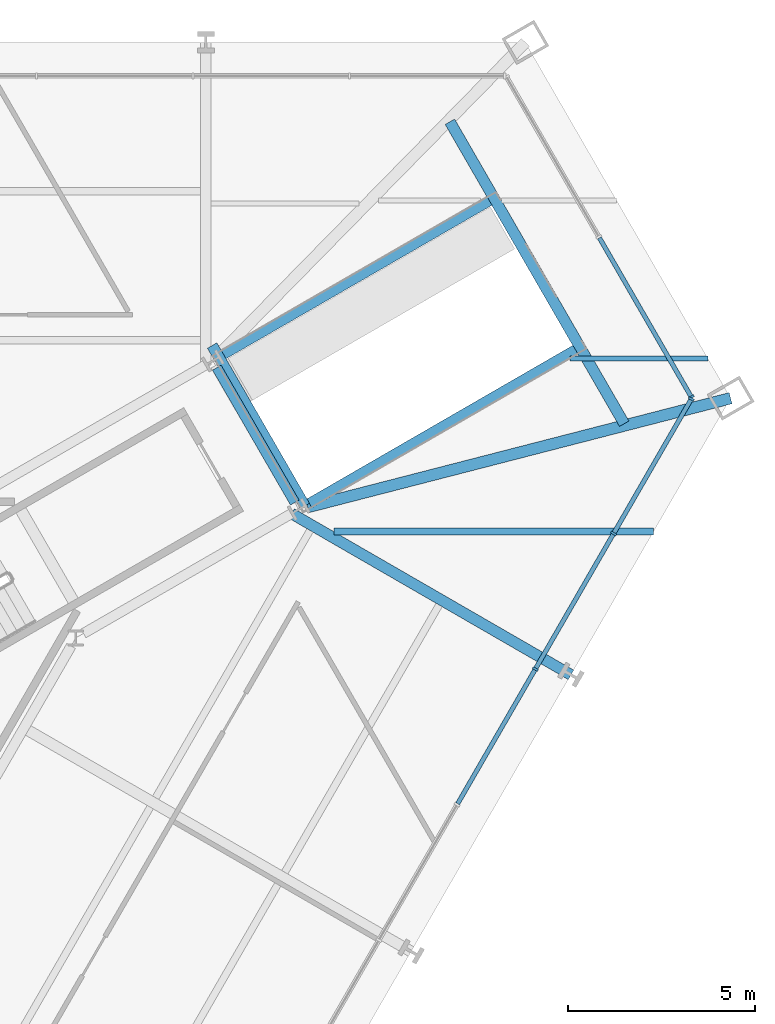
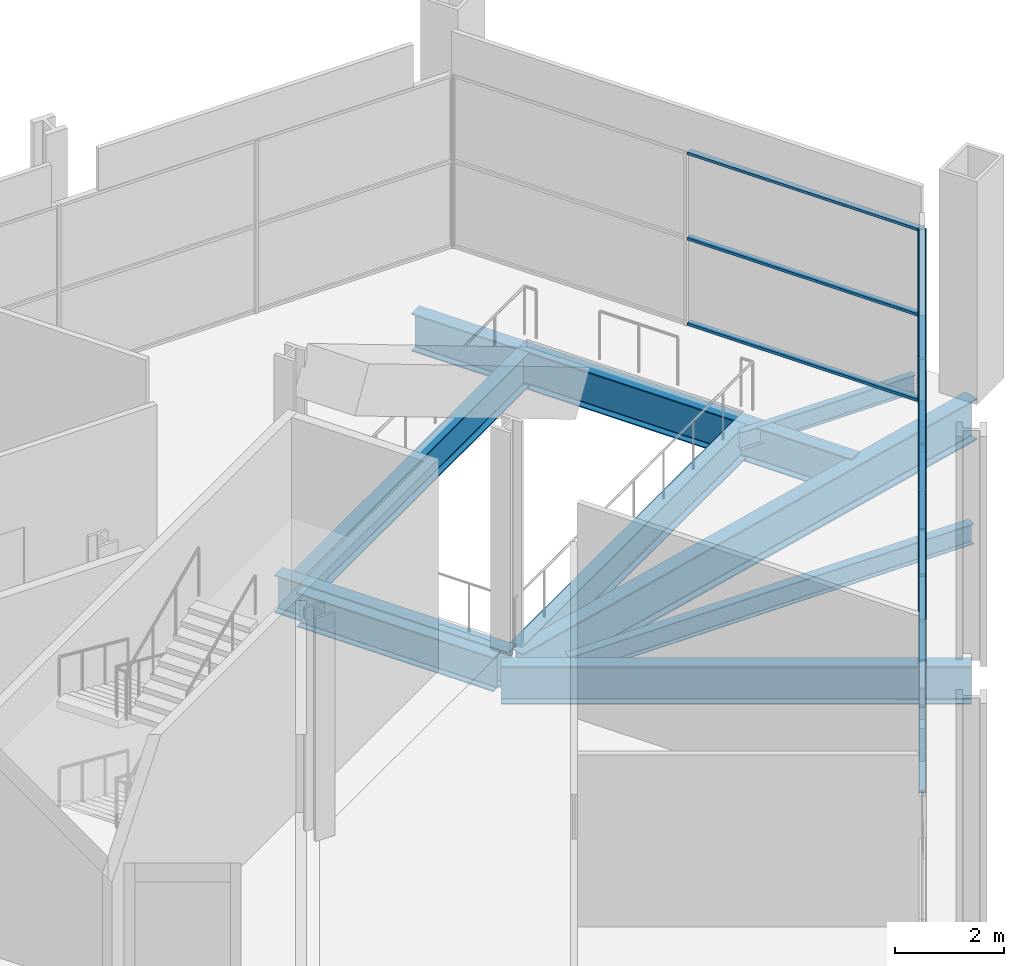
# One storey, part 9 of 20: 16 members, 9 beams, 2 elements without a shape of their own.
"""IFC4 building model written with IfcOpenShell, lengths in metres."""

from ifc_helpers import new_model, si_unit, direction, frame, origin, origin_2d, place, context, subcontext, project, spatial, rectangle, i_section, extrude, material, layer, layer_set, material_profile, profile_set, type_object, element, aggregate, save


model = new_model("IFC4")

# Units and contexts
model_context = context("Model", 3, precision=1e-05, world=origin(), true_north=direction((0.0, 1.0)))
body_context = subcontext(model_context, "Body", "Model", "MODEL_VIEW")
ifc_project = project(units=[si_unit("LENGTHUNIT", "METRE"), si_unit("AREAUNIT", "SQUARE_METRE"), si_unit("VOLUMEUNIT", "CUBIC_METRE"), si_unit("PLANEANGLEUNIT", "RADIAN"), si_unit("MASSUNIT", "GRAM", prefix="KILO")], contexts=[model_context])

# Site, building, storey
site_placement = place(None, origin())
site = spatial("IfcSite", under=ifc_project, at=site_placement, CompositionType="ELEMENT")
building_placement = place(site_placement, origin())
building = spatial("IfcBuilding", under=site, at=building_placement, Name="Verrane Prism Tower", CompositionType="ELEMENT")
storey_placement = place(building_placement, frame((0.0, 0.0, 17.39990234375)))
storey = spatial("IfcBuildingStorey", under=building, at=storey_placement, Name="L02", CompositionType="ELEMENT", Elevation=17.39990234375)

# Curtain wall, member
ifc_material_1 = material(Name="Aluminium and glass curtain wall", Category="aluminium")
ifc_layer = layer(ifc_material_1, 0.199951171875)
ifc_layer_set = layer_set([ifc_layer], Name="CWB-1 retail curtain wall")
curtain_wall_type = type_object("IfcCurtainWallType", Name="CWB-1 retail curtain wall", PredefinedType="NOTDEFINED", material=ifc_layer_set)
curtain_wall_1_placement = place(storey_placement, origin())
curtain_wall_1 = element("IfcCurtainWall", 1, at=curtain_wall_1_placement, inside=storey, type_object=curtain_wall_type, Name="Retail curtain wall L02 1", PredefinedType="NOTDEFINED")
ifc_material_2 = material(Name="Aluminium", Category="aluminium")
ifc_material_profile_1 = material_profile(ifc_material_2, rectangle(XDim=0.159912109375, YDim=0.06005859375, at=origin_2d()), Name="CWB-M 60x160 mullion")
ifc_profile_set_1 = profile_set([ifc_material_profile_1], Name="Aluminium")
member_type_1 = type_object("IfcMemberType", Name="CWB-M 60x160 mullion", PredefinedType="MULLION", material=ifc_profile_set_1)
member_1_placement = place(storey_placement, frame((30.11328125, 11.669677734375, 0.0), z_axis=(0.0, 0.0, 1.0), x_axis=(-0.866025871, -0.499999190758, 0.0)))
member_1 = element("IfcMember", 2, at=member_1_placement, type_object=member_type_1, Name="CWB21 mullion 1", PredefinedType="MULLION", context=body_context, shape_type="SweptSolid", body=[
    extrude(rectangle(XDim=0.159912109375, YDim=0.06005859375, at=origin_2d()), origin(), (0.0, 0.0, 1.0), 3.89013671875),
])

# Curtain wall, members
curtain_wall_2_placement = place(storey_placement, origin())
curtain_wall_2 = element("IfcCurtainWall", 3, at=curtain_wall_2_placement, inside=storey, type_object=curtain_wall_type, Name="Retail curtain wall L02 6", PredefinedType="NOTDEFINED")
member_2_placement = place(storey_placement, frame((25.93701171875, 4.384033203125, 0.0), z_axis=(0.0, 0.0, 1.0), x_axis=(-0.866025335097, 0.50000011897, 0.0)))
member_2 = element("IfcMember", 4, at=member_2_placement, type_object=member_type_1, Name="CWB26 mullion 11", PredefinedType="MULLION", context=body_context, shape_type="SweptSolid", body=[
    extrude(rectangle(XDim=0.159912109375, YDim=0.06005859375, at=origin_2d()), origin(), (0.0, 0.0, 1.0), 3.89013671875),
])
member_3_placement = place(storey_placement, frame((28.03271484375, 8.013916015625, 0.0), z_axis=(0.0, 0.0, 1.0), x_axis=(-0.866025335097, 0.50000011897, 0.0)))
member_3 = element("IfcMember", 5, at=member_3_placement, type_object=member_type_1, Name="CWB26 mullion 12", PredefinedType="MULLION", context=body_context, shape_type="SweptSolid", body=[
    extrude(rectangle(XDim=0.159912109375, YDim=0.06005859375, at=origin_2d()), origin(), (0.0, 0.0, 1.0), 3.89013671875),
])
member_4_placement = place(storey_placement, frame((30.11328125, 11.61767578125, 0.0), z_axis=(0.0, 0.0, 1.0), x_axis=(-0.866025335097, 0.50000011897, 0.0)))
member_4 = element("IfcMember", 6, at=member_4_placement, type_object=member_type_1, Name="CWB26 mullion 13", PredefinedType="MULLION", context=body_context, shape_type="SweptSolid", body=[
    extrude(rectangle(XDim=0.159912109375, YDim=0.06005859375, at=origin_2d()), origin(), (0.0, 0.0, 1.0), 3.89013671875),
])

# Member
ifc_material_3 = material(Name="Aluminium", Category="aluminium")
ifc_material_profile_2 = material_profile(ifc_material_3, rectangle(XDim=0.1201171875, YDim=0.06005859375, at=origin_2d()), Name="CWB-T 60x120 transom")
ifc_profile_set_2 = profile_set([ifc_material_profile_2], Name="Aluminium")
member_type_2 = type_object("IfcMemberType", Name="CWB-T 60x120 transom", PredefinedType="USERDEFINED", material=ifc_profile_set_2)
member_5_placement = place(storey_placement, frame((30.098388671875, 11.695556640625, 0.030029296875), z_axis=(-0.500004774777, 0.866022647048, 0.0), x_axis=(-0.866022647048, -0.500004774777, 0.0)))
member_5 = element("IfcMember", 7, at=member_5_placement, type_object=member_type_2, Name="CWB21 transom 1.1", ObjectType="TRANSOM", PredefinedType="USERDEFINED", context=body_context, shape_type="SweptSolid", body=[
    extrude(rectangle(XDim=0.1201171875, YDim=0.06005859375, at=origin_2d()), origin(), (0.0, 0.0, 1.0), 4.890625),
])

member_6_placement = place(storey_placement, frame((30.098388671875, 11.695556640625, 1.945068359375), z_axis=(-0.500004774777, 0.866022647048, 0.0), x_axis=(-0.866022647048, -0.500004774777, 0.0)))
member_6 = element("IfcMember", 8, at=member_6_placement, type_object=member_type_2, Name="CWB21 transom 1.2", ObjectType="TRANSOM", PredefinedType="USERDEFINED", context=body_context, shape_type="SweptSolid", body=[
    extrude(rectangle(XDim=0.1201171875, YDim=0.06005859375, at=origin_2d()), origin(), (0.0, 0.0, 1.0), 4.890625),
])

member_7_placement = place(storey_placement, frame((30.098388671875, 11.695556640625, 3.860107421875), z_axis=(-0.500004774777, 0.866022647048, 0.0), x_axis=(-0.866022647048, -0.500004774777, 0.0)))
member_7 = element("IfcMember", 9, at=member_7_placement, type_object=member_type_2, Name="CWB21 transom 1.3", ObjectType="TRANSOM", PredefinedType="USERDEFINED", context=body_context, shape_type="SweptSolid", body=[
    extrude(rectangle(XDim=0.1201171875, YDim=0.06005859375, at=origin_2d()), origin(), (0.0, 0.0, 1.0), 4.890625),
])

aggregate(curtain_wall_1, [member_1, member_5, member_6, member_7])

member_8_placement = place(storey_placement, frame((23.856201171875, 0.7802734375, 0.030029296875), z_axis=(0.499996977546, 0.866027148792, 0.0), x_axis=(-0.866027148792, 0.499996977546, 0.0)))
member_8 = element("IfcMember", 10, at=member_8_placement, type_object=member_type_2, Name="CWB26 transom 10.1", ObjectType="TRANSOM", PredefinedType="USERDEFINED", context=body_context, shape_type="SweptSolid", body=[
    extrude(rectangle(XDim=0.1201171875, YDim=0.06005859375, at=origin_2d()), origin(), (0.0, 0.0, 1.0), 4.13134765625),
])

member_9_placement = place(storey_placement, frame((23.856201171875, 0.7802734375, 1.945068359375), z_axis=(0.499996977546, 0.866027148792, 0.0), x_axis=(-0.866027148792, 0.499996977546, 0.0)))
member_9 = element("IfcMember", 11, at=member_9_placement, type_object=member_type_2, Name="CWB26 transom 10.2", ObjectType="TRANSOM", PredefinedType="USERDEFINED", context=body_context, shape_type="SweptSolid", body=[
    extrude(rectangle(XDim=0.1201171875, YDim=0.06005859375, at=origin_2d()), origin(), (0.0, 0.0, 1.0), 4.13134765625),
])

member_10_placement = place(storey_placement, frame((23.856201171875, 0.7802734375, 3.860107421875), z_axis=(0.499996977546, 0.866027148792, 0.0), x_axis=(-0.866027148792, 0.499996977546, 0.0)))
member_10 = element("IfcMember", 12, at=member_10_placement, type_object=member_type_2, Name="CWB26 transom 10.3", ObjectType="TRANSOM", PredefinedType="USERDEFINED", context=body_context, shape_type="SweptSolid", body=[
    extrude(rectangle(XDim=0.1201171875, YDim=0.06005859375, at=origin_2d()), origin(), (0.0, 0.0, 1.0), 4.13134765625),
])

member_11_placement = place(storey_placement, frame((25.951904296875, 4.41015625, 0.030029296875), z_axis=(0.499996977546, 0.866027148792, 0.0), x_axis=(-0.866027148792, 0.499996977546, 0.0)))
member_11 = element("IfcMember", 13, at=member_11_placement, type_object=member_type_2, Name="CWB26 transom 11.1", ObjectType="TRANSOM", PredefinedType="USERDEFINED", context=body_context, shape_type="SweptSolid", body=[
    extrude(rectangle(XDim=0.1201171875, YDim=0.06005859375, at=origin_2d()), origin(), (0.0, 0.0, 1.0), 4.13134765625),
])

member_12_placement = place(storey_placement, frame((25.951904296875, 4.41015625, 1.945068359375), z_axis=(0.499996977546, 0.866027148792, 0.0), x_axis=(-0.866027148792, 0.499996977546, 0.0)))
member_12 = element("IfcMember", 14, at=member_12_placement, type_object=member_type_2, Name="CWB26 transom 11.2", ObjectType="TRANSOM", PredefinedType="USERDEFINED", context=body_context, shape_type="SweptSolid", body=[
    extrude(rectangle(XDim=0.1201171875, YDim=0.06005859375, at=origin_2d()), origin(), (0.0, 0.0, 1.0), 4.13134765625),
])

member_13_placement = place(storey_placement, frame((25.951904296875, 4.41015625, 3.860107421875), z_axis=(0.499996977546, 0.866027148792, 0.0), x_axis=(-0.866027148792, 0.499996977546, 0.0)))
member_13 = element("IfcMember", 15, at=member_13_placement, type_object=member_type_2, Name="CWB26 transom 11.3", ObjectType="TRANSOM", PredefinedType="USERDEFINED", context=body_context, shape_type="SweptSolid", body=[
    extrude(rectangle(XDim=0.1201171875, YDim=0.06005859375, at=origin_2d()), origin(), (0.0, 0.0, 1.0), 4.13134765625),
])

member_14_placement = place(storey_placement, frame((28.047607421875, 8.039794921875, 0.030029296875), z_axis=(0.500005845305, 0.86602202897, 0.0), x_axis=(-0.86602202897, 0.500005845305, 0.0)))
member_14 = element("IfcMember", 16, at=member_14_placement, type_object=member_type_2, Name="CWB26 transom 12.1", ObjectType="TRANSOM", PredefinedType="USERDEFINED", context=body_context, shape_type="SweptSolid", body=[
    extrude(rectangle(XDim=0.1201171875, YDim=0.06005859375, at=origin_2d()), origin(), (0.0, 0.0, 1.0), 4.1015625),
])

member_15_placement = place(storey_placement, frame((28.047607421875, 8.039794921875, 1.945068359375), z_axis=(0.500005845305, 0.86602202897, 0.0), x_axis=(-0.86602202897, 0.500005845305, 0.0)))
member_15 = element("IfcMember", 17, at=member_15_placement, type_object=member_type_2, Name="CWB26 transom 12.2", ObjectType="TRANSOM", PredefinedType="USERDEFINED", context=body_context, shape_type="SweptSolid", body=[
    extrude(rectangle(XDim=0.1201171875, YDim=0.06005859375, at=origin_2d()), origin(), (0.0, 0.0, 1.0), 4.1015625),
])

member_16_placement = place(storey_placement, frame((28.047607421875, 8.039794921875, 3.860107421875), z_axis=(0.500005845305, 0.86602202897, 0.0), x_axis=(-0.86602202897, 0.500005845305, 0.0)))
member_16 = element("IfcMember", 18, at=member_16_placement, type_object=member_type_2, Name="CWB26 transom 12.3", ObjectType="TRANSOM", PredefinedType="USERDEFINED", context=body_context, shape_type="SweptSolid", body=[
    extrude(rectangle(XDim=0.1201171875, YDim=0.06005859375, at=origin_2d()), origin(), (0.0, 0.0, 1.0), 4.1015625),
])

aggregate(curtain_wall_2, [member_2, member_3, member_4, member_8, member_9, member_10, member_11, member_12, member_13, member_14, member_15, member_16])

# Beams
ifc_material_4 = material(Name="Steel A992", Category="steel")
ifc_material_profile_3 = material_profile(ifc_material_4, i_section(OverallWidth=0.2666015625, OverallDepth=0.76708984375, WebThickness=0.014892578125, FlangeThickness=0.023681640625, FilletRadius=0.0166015625, at=origin_2d()), Name="W30x124")
ifc_profile_set_3 = profile_set([ifc_material_profile_3], Name="Steel A992")
beam_type_1 = type_object("IfcBeamType", Name="Core ring girder W30x124", PredefinedType="BEAM", material=ifc_profile_set_3)
beam_1_placement = place(storey_placement, frame((19.493896484375, 8.843505859375, -0.63330078125), z_axis=(-0.500367275473, 0.865813253326, 0.0), x_axis=(-0.865813253326, -0.500367275473, 0.0)))
element("IfcBeam", 19, at=beam_1_placement, inside=storey, type_object=beam_type_1, Name="Core ring girder L02", PredefinedType="BEAM", context=body_context, shape_type="SweptSolid", body=[
    extrude(i_section(OverallWidth=0.2666015625, OverallDepth=0.76708984375, WebThickness=0.014892578125, FlangeThickness=0.023681640625, FilletRadius=0.0166015625, at=origin_2d()), origin(), (0.0, 0.0, 1.0), 4.172607421875),
])
ifc_material_5 = material(Name="Steel A992", Category="steel")
ifc_material_profile_4 = material_profile(ifc_material_5, i_section(OverallWidth=0.307373046875, OverallDepth=0.927001953125, WebThickness=0.01953125, FlangeThickness=0.031982421875, FilletRadius=0.01904296875, at=origin_2d()), Name="W36x194")
ifc_profile_set_4 = profile_set([ifc_material_profile_4], Name="Steel A992")
beam_type_2 = type_object("IfcBeamType", Name="Corner girder W36x194", PredefinedType="BEAM", material=ifc_profile_set_4)
beam_2_placement = place(storey_placement, frame((31.16455078125, 11.638671875, -0.68359375), z_axis=(-0.968392733058, -0.249430380188, 0.0), x_axis=(0.249430380188, -0.968392733058, 0.0)))
element("IfcBeam", 20, at=beam_2_placement, inside=storey, type_object=beam_type_2, Name="Corner girder L02", PredefinedType="BEAM", context=body_context, shape_type="SweptSolid", body=[
    extrude(i_section(OverallWidth=0.307373046875, OverallDepth=0.927001953125, WebThickness=0.01953125, FlangeThickness=0.031982421875, FilletRadius=0.01904296875, at=origin_2d()), origin(), (0.0, 0.0, 1.0), 11.695556640625),
])
ifc_material_6 = material(Name="Steel A992", Category="steel")
ifc_material_profile_5 = material_profile(ifc_material_6, i_section(OverallWidth=0.140380859375, OverallDepth=0.40380859375, WebThickness=0.007080078125, FlangeThickness=0.01123046875, FilletRadius=0.01025390625, at=origin_2d()), Name="W16x31")
ifc_profile_set_5 = profile_set([ifc_material_profile_5], Name="Steel A992")
beam_type_3 = type_object("IfcBeamType", Name="Floor beam W16x31", PredefinedType="BEAM", material=ifc_profile_set_5)
beam_3_placement = place(storey_placement, frame((26.860595703125, 12.699951171875, -0.36181640625), z_axis=(1.0, 0.0, 0.0), x_axis=(0.0, 1.0, 0.0)))
element("IfcBeam", 21, at=beam_3_placement, inside=storey, type_object=beam_type_3, Name="Floor beam L02", PredefinedType="BEAM", context=body_context, shape_type="SweptSolid", body=[
    extrude(i_section(OverallWidth=0.140380859375, OverallDepth=0.40380859375, WebThickness=0.007080078125, FlangeThickness=0.01123046875, FilletRadius=0.01025390625, at=origin_2d()), origin(), (0.0, 0.0, 1.0), 3.697509765625),
])
ifc_material_7 = material(Name="Steel A992", Category="steel")
ifc_material_profile_6 = material_profile(ifc_material_7, i_section(OverallWidth=0.1904296875, OverallDepth=0.457275390625, WebThickness=0.009033203125, FlangeThickness=0.014404296875, FilletRadius=0.01025390625, at=origin_2d()), Name="W18x50")
ifc_profile_set_6 = profile_set([ifc_material_profile_6], Name="Steel A992")
beam_type_4 = type_object("IfcBeamType", Name="Floor beam W18x50", PredefinedType="BEAM", material=ifc_profile_set_6)
beam_4_placement = place(storey_placement, frame((20.541748046875, 8.06494140625, -0.388427734375), z_axis=(1.0, 0.0, 0.0), x_axis=(0.0, 1.0, 0.0)))
element("IfcBeam", 22, at=beam_4_placement, inside=storey, type_object=beam_type_4, Name="Floor beam L02", PredefinedType="BEAM", context=body_context, shape_type="SweptSolid", body=[
    extrude(i_section(OverallWidth=0.1904296875, OverallDepth=0.457275390625, WebThickness=0.009033203125, FlangeThickness=0.014404296875, FilletRadius=0.01025390625, at=origin_2d()), origin(), (0.0, 0.0, 1.0), 8.563232421875),
])
ifc_material_8 = material(Name="Steel A992", Category="steel")
ifc_material_profile_7 = material_profile(ifc_material_8, i_section(OverallWidth=0.2919921875, OverallDepth=0.845703125, WebThickness=0.015380859375, FlangeThickness=0.0244140625, FilletRadius=0.017822265625, at=origin_2d()), Name="W33x141")
ifc_profile_set_7 = profile_set([ifc_material_profile_7], Name="Steel A992")
beam_type_5 = type_object("IfcBeamType", Name="Radial girder W33x141", PredefinedType="BEAM", material=ifc_profile_set_7)
beam_5_placement = place(storey_placement, frame((26.889892578125, 4.22998046875, -0.642822265625), z_axis=(-0.866024167848, 0.500002140699, 0.0), x_axis=(-0.500002140699, -0.866024167848, 0.0)))
element("IfcBeam", 23, at=beam_5_placement, inside=storey, type_object=beam_type_5, Name="Radial girder L02", PredefinedType="BEAM", context=body_context, shape_type="SweptSolid", body=[
    extrude(i_section(OverallWidth=0.2919921875, OverallDepth=0.845703125, WebThickness=0.015380859375, FlangeThickness=0.0244140625, FilletRadius=0.017822265625, at=origin_2d()), origin(), (0.0, 0.0, 1.0), 8.63916015625),
])
ifc_material_9 = material(Name="Steel A992", Category="steel")
ifc_material_profile_8 = material_profile(ifc_material_9, i_section(OverallWidth=0.2666015625, OverallDepth=0.76708984375, WebThickness=0.014892578125, FlangeThickness=0.023681640625, FilletRadius=0.0166015625, at=origin_2d()), Name="W30x124")
ifc_profile_set_8 = profile_set([ifc_material_profile_8], Name="Steel A992")
beam_type_6 = type_object("IfcBeamType", Name="Slab edge girder W30x124", PredefinedType="BEAM", material=ifc_profile_set_8)
beam_6_placement = place(storey_placement, frame((19.882080078125, 8.822998046875, -0.54345703125), z_axis=(0.86602750728, 0.499996356621, 0.0), x_axis=(-0.499996356621, 0.86602750728, 0.0)))
element("IfcBeam", 24, at=beam_6_placement, inside=storey, type_object=beam_type_6, Name="Slab edge girder L02", PredefinedType="BEAM", context=body_context, shape_type="SweptSolid", body=[
    extrude(i_section(OverallWidth=0.2666015625, OverallDepth=0.76708984375, WebThickness=0.014892578125, FlangeThickness=0.023681640625, FilletRadius=0.0166015625, at=origin_2d()), origin(), (0.0, 0.0, 1.0), 8.22998046875),
])
beam_7_placement = place(storey_placement, frame((24.709716796875, 16.921875, -0.54345703125), z_axis=(-0.866034923029, -0.499983511822, 0.0), x_axis=(0.499983511822, -0.866034923029, 0.0)))
element("IfcBeam", 25, at=beam_7_placement, inside=storey, type_object=beam_type_6, Name="Slab edge girder L02", PredefinedType="BEAM", context=body_context, shape_type="SweptSolid", body=[
    extrude(i_section(OverallWidth=0.2666015625, OverallDepth=0.76708984375, WebThickness=0.014892578125, FlangeThickness=0.023681640625, FilletRadius=0.0166015625, at=origin_2d()), origin(), (0.0, 0.0, 1.0), 8.230224609375),
])
ifc_material_10 = material(Name="Steel A992", Category="steel")
ifc_material_profile_9 = material_profile(ifc_material_10, i_section(OverallWidth=0.2919921875, OverallDepth=0.845703125, WebThickness=0.015380859375, FlangeThickness=0.0244140625, FilletRadius=0.017822265625, at=origin_2d()), Name="W33x141")
ifc_profile_set_9 = profile_set([ifc_material_profile_9], Name="Steel A992")
beam_type_7 = type_object("IfcBeamType", Name="Slab edge girder W33x141", PredefinedType="BEAM", material=ifc_profile_set_9)
beam_8_placement = place(storey_placement, frame((28.31640625, 10.95458984375, -0.582763671875), z_axis=(-0.500003119808, 0.866023602555, 0.0), x_axis=(-0.866023602555, -0.500003119808, 0.0)))
element("IfcBeam", 26, at=beam_8_placement, inside=storey, type_object=beam_type_7, Name="Slab edge girder L02", PredefinedType="BEAM", context=body_context, shape_type="SweptSolid", body=[
    extrude(i_section(OverallWidth=0.2919921875, OverallDepth=0.845703125, WebThickness=0.015380859375, FlangeThickness=0.0244140625, FilletRadius=0.017822265625, at=origin_2d()), origin(), (0.0, 0.0, 1.0), 9.3369140625),
])
beam_9_placement = place(storey_placement, frame((17.281005859375, 13.048583984375, -0.582763671875), z_axis=(0.500002137087, -0.866024169933, 0.0), x_axis=(0.866024169933, 0.500002137087, 0.0)))
element("IfcBeam", 27, at=beam_9_placement, inside=storey, type_object=beam_type_7, Name="Slab edge girder L02", PredefinedType="BEAM", context=body_context, shape_type="SweptSolid", body=[
    extrude(i_section(OverallWidth=0.2919921875, OverallDepth=0.845703125, WebThickness=0.015380859375, FlangeThickness=0.0244140625, FilletRadius=0.017822265625, at=origin_2d()), origin(), (0.0, 0.0, 1.0), 4.9619140625),
])

save(model, "model.ifc")
